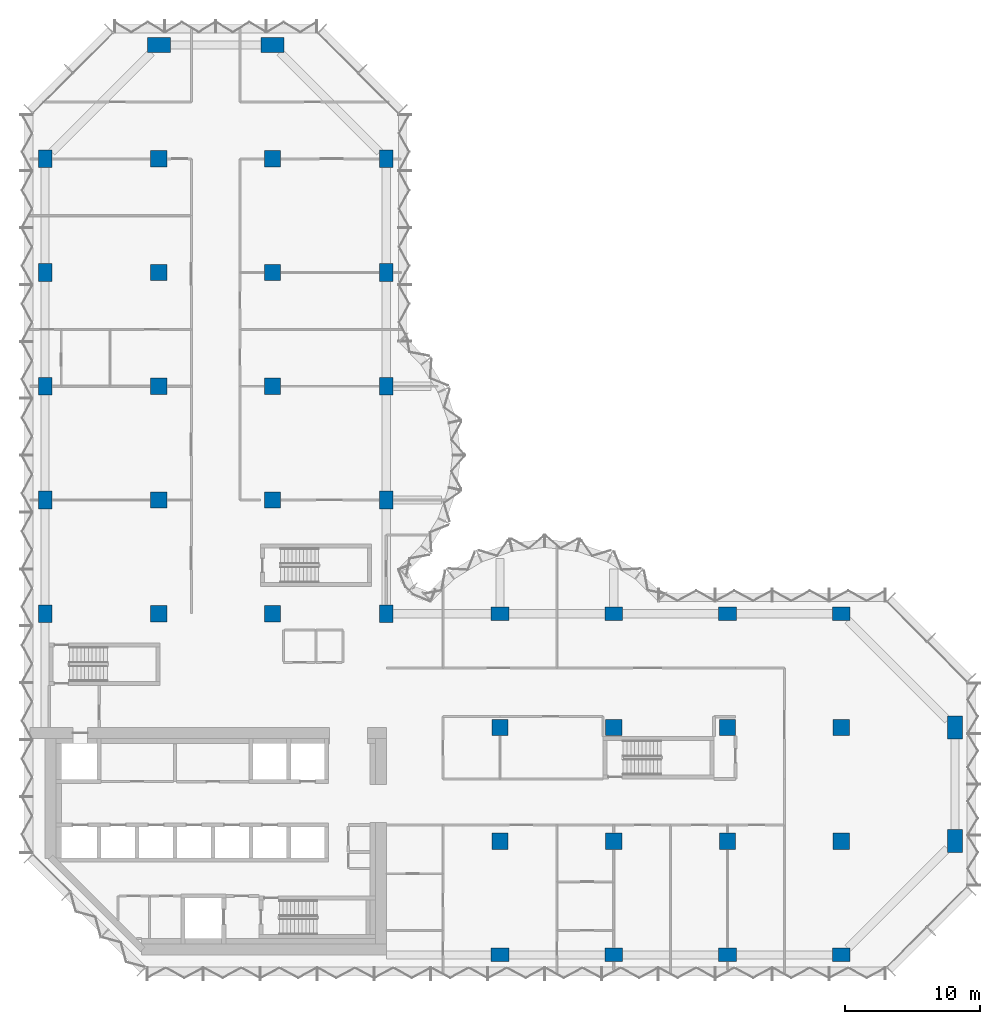
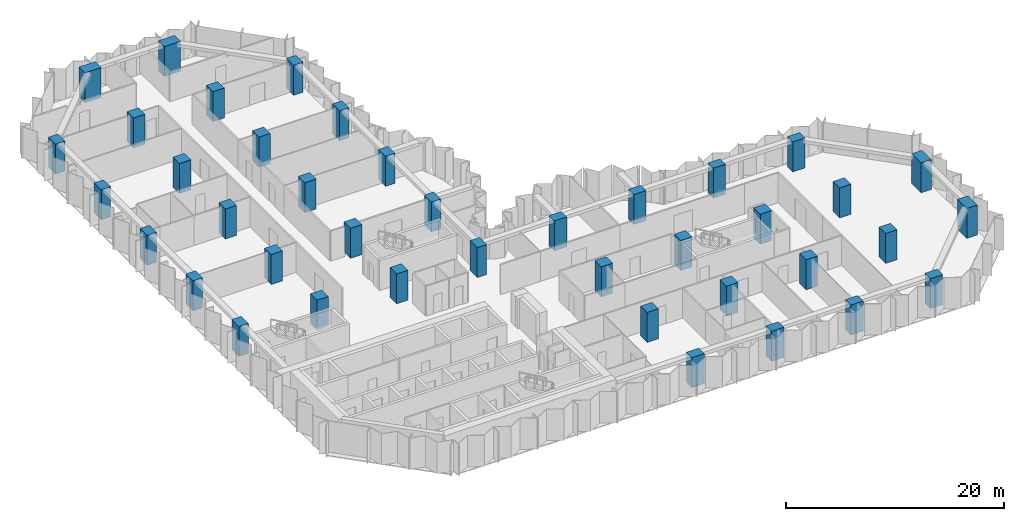
# One storey, part 1 of 13: 40 columns.
"""IFC4 building model written with IfcOpenShell, lengths in metres."""

from ifc_helpers import new_model, si_unit, direction, frame, origin, origin_2d, place, context, subcontext, project, spatial, rectangle, extrude, material, material_profile, profile_set, type_object, element, save


model = new_model("IFC4")

# Units and contexts
model_context = context("Model", 3, precision=1e-05, world=origin(), true_north=direction((0.0, 1.0)))
body_context = subcontext(model_context, "Body", "Model", "MODEL_VIEW")
ifc_project = project(units=[si_unit("LENGTHUNIT", "METRE"), si_unit("AREAUNIT", "SQUARE_METRE"), si_unit("VOLUMEUNIT", "CUBIC_METRE"), si_unit("PLANEANGLEUNIT", "RADIAN"), si_unit("MASSUNIT", "GRAM", prefix="KILO")], contexts=[model_context])

# Site, building, storey
site_placement = place(None, origin())
site = spatial("IfcSite", under=ifc_project, at=site_placement, CompositionType="ELEMENT")
building_placement = place(site_placement, origin())
building = spatial("IfcBuilding", under=site, at=building_placement, Name="Brevane Broadcast Tower", CompositionType="ELEMENT")
storey_placement = place(building_placement, frame((0.0, 0.0, 102.5)))
storey = spatial("IfcBuildingStorey", under=building, at=storey_placement, Name="L24", CompositionType="ELEMENT", Elevation=102.5)

# Columns
ifc_material = material(Name="Concrete C60/75", Category="concrete")
ifc_material_profile_1 = material_profile(ifc_material, rectangle(XDim=1.0, YDim=1.300048828125, at=origin_2d()), Name="RC 1000x1300")
ifc_profile_set_1 = profile_set([ifc_material_profile_1], Name="Concrete C60/75")
column_type_1 = type_object("IfcColumnType", Name="RC COLUMN EDGE 1000x1300 C60/75", PredefinedType="COLUMN", material=ifc_profile_set_1)
for number, where, z_axis, x_axis, name in (
    (1, (0.0, 25.199951171875, 0.0), (0.0, 0.0, 1.0), (1.0, 0.0, 0.0), "CE8 1/D"),
    (2, (0.0, 33.60009765625, 0.0), (0.0, 0.0, 1.0), (1.0, 0.0, 0.0), "CE8 1/E"),
    (3, (0.0, 42.0, 0.0), (0.0, 0.0, 1.0), (1.0, 0.0, 0.0), "CE8 1/F"),
    (4, (0.0, 50.39990234375, 0.0), (0.0, 0.0, 1.0), (1.0, 0.0, 0.0), "CE8 1/G"),
    (5, (0.0, 58.800048828125, 0.0), (0.0, 0.0, 1.0), (1.0, 0.0, 0.0), "CE8 1/H"),
    (6, (25.199951171875, 25.199951171875, 0.0), (0.0, 0.0, 1.0), (1.0, 0.0, 0.0), "CE8 4/D"),
    (7, (25.199951171875, 33.60009765625, 0.0), (0.0, 0.0, 1.0), (1.0, 0.0, 0.0), "CE8 4/E"),
    (8, (25.199951171875, 42.0, 0.0), (0.0, 0.0, 1.0), (1.0, 0.0, 0.0), "CE8 4/F"),
    (9, (25.199951171875, 50.39990234375, 0.0), (0.0, 0.0, 1.0), (1.0, 0.0, 0.0), "CE8 4/G"),
    (10, (25.199951171875, 58.800048828125, 0.0), (0.0, 0.0, 1.0), (1.0, 0.0, 0.0), "CE8 4/H"),
    (11, (33.60009765625, 0.0, 0.0), (0.0, 0.0, 1.0), (0.0, 1.0, 0.0), "CE8 5/A"),
    (12, (33.60009765625, 25.199951171875, 0.0), (0.0, 0.0, 1.0), (0.0, 1.0, 0.0), "CE8 5/D"),
    (13, (42.0, 0.0, 0.0), (0.0, 0.0, 1.0), (0.0, 1.0, 0.0), "CE8 6/A"),
    (14, (42.0, 25.199951171875, 0.0), (0.0, 0.0, 1.0), (0.0, 1.0, 0.0), "CE8 6/D"),
    (15, (50.39990234375, 0.0, 0.0), (0.0, 0.0, 1.0), (0.0, 1.0, 0.0), "CE8 7/A"),
    (16, (50.39990234375, 25.199951171875, 0.0), (0.0, 0.0, 1.0), (0.0, 1.0, 0.0), "CE8 7/D"),
    (17, (58.800048828125, 0.0, 0.0), (0.0, 0.0, 1.0), (0.0, 1.0, 0.0), "CE8 8/A"),
    (18, (58.800048828125, 25.199951171875, 0.0), (0.0, 0.0, 1.0), (0.0, 1.0, 0.0), "CE8 8/D"),
):
    element("IfcColumn", number, at=place(storey_placement, frame(where, z_axis=z_axis, x_axis=x_axis)), inside=storey, type_object=column_type_1, Name=name, PredefinedType="COLUMN", context=body_context, shape_type="SweptSolid", body=[
        extrude(rectangle(XDim=1.0, YDim=1.300048828125, at=origin_2d()), origin(), (0.0, 0.0, 1.0), 3.35009765625),
    ])
ifc_material_profile_2 = material_profile(ifc_material, rectangle(XDim=1.199951171875, YDim=1.199951171875, at=origin_2d()), Name="RC 1200x1200")
ifc_profile_set_2 = profile_set([ifc_material_profile_2], Name="Concrete C60/75")
column_type_2 = type_object("IfcColumnType", Name="RC COLUMN INTERIOR 1200x1200 C60/75", PredefinedType="COLUMN", material=ifc_profile_set_2)
for number, where, z_axis, x_axis, name in (
    (19, (8.39990234375, 25.199951171875, 0.0), (0.0, 0.0, 1.0), (1.0, 0.0, 0.0), "CI9 2/D"),
    (20, (8.39990234375, 33.60009765625, 0.0), (0.0, 0.0, 1.0), (1.0, 0.0, 0.0), "CI9 2/E"),
    (21, (8.39990234375, 42.0, 0.0), (0.0, 0.0, 1.0), (1.0, 0.0, 0.0), "CI9 2/F"),
    (22, (8.39990234375, 50.39990234375, 0.0), (0.0, 0.0, 1.0), (1.0, 0.0, 0.0), "CI9 2/G"),
    (23, (8.39990234375, 58.800048828125, 0.0), (0.0, 0.0, 1.0), (1.0, 0.0, 0.0), "CI9 2/H"),
    (24, (16.800048828125, 25.199951171875, 0.0), (0.0, 0.0, 1.0), (1.0, 0.0, 0.0), "CI9 3/D"),
    (25, (16.800048828125, 33.60009765625, 0.0), (0.0, 0.0, 1.0), (1.0, 0.0, 0.0), "CI9 3/E"),
    (26, (16.800048828125, 42.0, 0.0), (0.0, 0.0, 1.0), (1.0, 0.0, 0.0), "CI9 3/F"),
    (27, (16.800048828125, 50.39990234375, 0.0), (0.0, 0.0, 1.0), (1.0, 0.0, 0.0), "CI9 3/G"),
    (28, (16.800048828125, 58.800048828125, 0.0), (0.0, 0.0, 1.0), (1.0, 0.0, 0.0), "CI9 3/H"),
    (29, (33.60009765625, 8.39990234375, 0.0), (0.0, 0.0, 1.0), (1.0, 0.0, 0.0), "CI9 5/B"),
    (30, (33.60009765625, 16.800048828125, 0.0), (0.0, 0.0, 1.0), (1.0, 0.0, 0.0), "CI9 5/C"),
    (31, (42.0, 8.39990234375, 0.0), (0.0, 0.0, 1.0), (1.0, 0.0, 0.0), "CI9 6/B"),
    (32, (42.0, 16.800048828125, 0.0), (0.0, 0.0, 1.0), (1.0, 0.0, 0.0), "CI9 6/C"),
    (33, (50.39990234375, 8.39990234375, 0.0), (0.0, 0.0, 1.0), (1.0, 0.0, 0.0), "CI9 7/B"),
    (34, (50.39990234375, 16.800048828125, 0.0), (0.0, 0.0, 1.0), (1.0, 0.0, 0.0), "CI9 7/C"),
    (35, (58.800048828125, 8.39990234375, 0.0), (0.0, 0.0, 1.0), (1.0, 0.0, 0.0), "CI9 8/B"),
    (36, (58.800048828125, 16.800048828125, 0.0), (0.0, 0.0, 1.0), (1.0, 0.0, 0.0), "CI9 8/C"),
):
    element("IfcColumn", number, at=place(storey_placement, frame(where, z_axis=z_axis, x_axis=x_axis)), inside=storey, type_object=column_type_2, Name=name, PredefinedType="COLUMN", context=body_context, shape_type="SweptSolid", body=[
        extrude(rectangle(XDim=1.199951171875, YDim=1.199951171875, at=origin_2d()), origin(), (0.0, 0.0, 1.0), 3.35009765625),
    ])
ifc_material_profile_3 = material_profile(ifc_material, rectangle(XDim=1.10009765625, YDim=1.699951171875, at=origin_2d()), Name="RC 1100x1700")
ifc_profile_set_3 = profile_set([ifc_material_profile_3], Name="Concrete C60/75")
column_type_3 = type_object("IfcColumnType", Name="RC COLUMN WING-END 1100x1700 C60/75", PredefinedType="COLUMN", material=ifc_profile_set_3)
for number, where, z_axis, x_axis, name in (
    (37, (8.39990234375, 67.199951171875, 0.0), (0.0, 0.0, 1.0), (0.0, 1.0, 0.0), "CW10 2/I"),
    (38, (16.800048828125, 67.199951171875, 0.0), (0.0, 0.0, 1.0), (0.0, 1.0, 0.0), "CW10 3/I"),
    (39, (67.199951171875, 8.39990234375, 0.0), (0.0, 0.0, 1.0), (1.0, 0.0, 0.0), "CW10 9/B"),
    (40, (67.199951171875, 16.800048828125, 0.0), (0.0, 0.0, 1.0), (1.0, 0.0, 0.0), "CW10 9/C"),
):
    element("IfcColumn", number, at=place(storey_placement, frame(where, z_axis=z_axis, x_axis=x_axis)), inside=storey, type_object=column_type_3, Name=name, PredefinedType="COLUMN", context=body_context, shape_type="SweptSolid", body=[
        extrude(rectangle(XDim=1.10009765625, YDim=1.699951171875, at=origin_2d()), origin(), (0.0, 0.0, 1.0), 3.35009765625),
    ])

save(model, "model.ifc")
